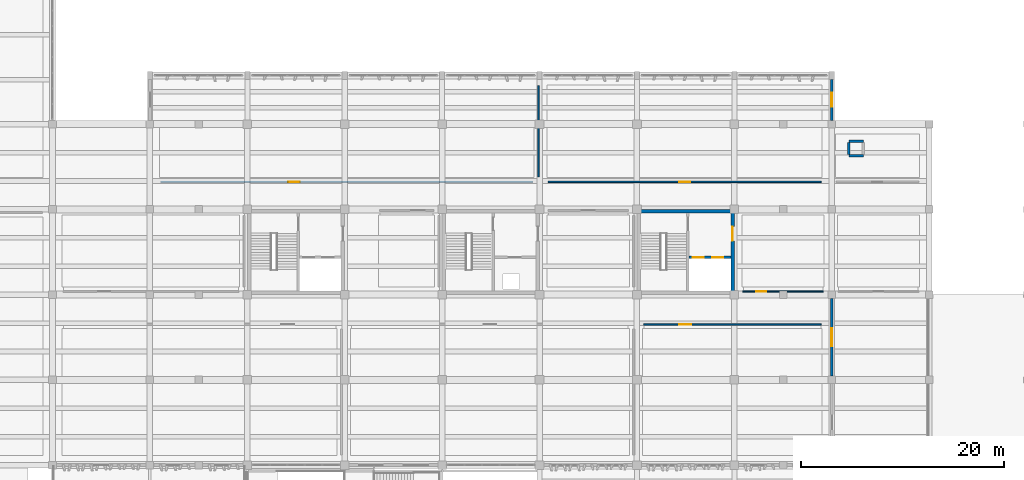
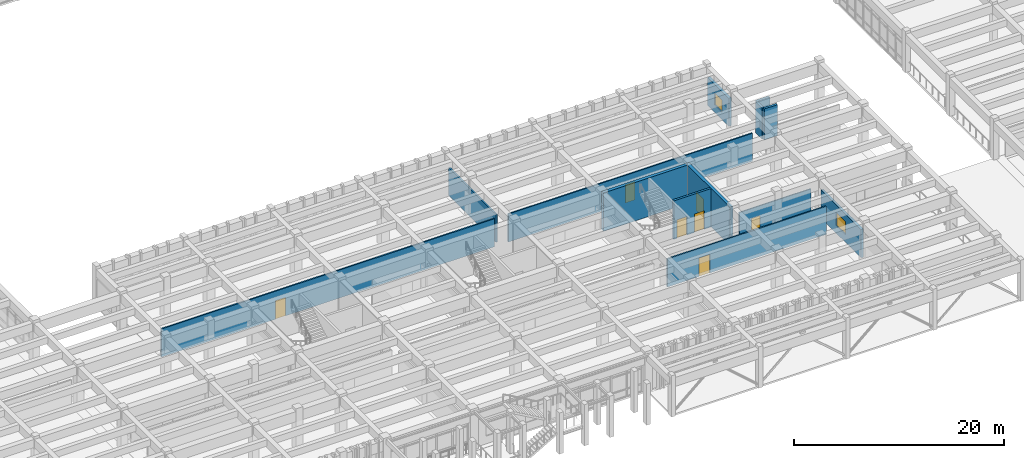
# One storey, part 67 of 86: 13 walls, 7 doors, 2 windows, 9 openings.
"""IFC4 building model written with IfcOpenShell, lengths in metres."""

from ifc_helpers import new_model, si_unit, direction, frame, frame_2d, origin, place, context, subcontext, project, spatial, rectangle, extrude, material, layer, layer_set, type_object, element, fill, save


model = new_model("IFC4")

# Units and contexts
model_context = context("Model", 3, precision=1e-05, world=origin(), true_north=direction((0.0, 1.0)))
body_context = subcontext(model_context, "Body", "Model", "MODEL_VIEW")
ifc_project = project(units=[si_unit("LENGTHUNIT", "METRE"), si_unit("AREAUNIT", "SQUARE_METRE"), si_unit("VOLUMEUNIT", "CUBIC_METRE"), si_unit("PLANEANGLEUNIT", "RADIAN"), si_unit("MASSUNIT", "GRAM", prefix="KILO")], contexts=[model_context])

# Site, building, storey
site_placement = place(None, origin())
site = spatial("IfcSite", under=ifc_project, at=site_placement, CompositionType="ELEMENT")
building_placement = place(site_placement, origin())
building = spatial("IfcBuilding", under=site, at=building_placement, Name="Kolvemor Railside Polytechnic", CompositionType="ELEMENT")
storey_placement = place(building_placement, frame((0.0, 0.0, 5.39990234375)))
storey = spatial("IfcBuildingStorey", under=building, at=storey_placement, Name="L01", CompositionType="ELEMENT", Elevation=5.39990234375)

# Wall
ifc_material_1 = material(Name="Concrete C40/50", Category="concrete")
ifc_layer_1 = layer(ifc_material_1, 0.35009765625, Name="WL-CORE-350")
ifc_layer_set_1 = layer_set([ifc_layer_1], Name="Concrete C40/50")
wall_type_1 = type_object("IfcWallType", Name="WL-CORE-350", PredefinedType="SHEAR", material=ifc_layer_set_1)
wall_1_placement = place(storey_placement, frame((105.60009765625, 29.824951171875, 0.0), z_axis=(0.0, 0.0, 1.0), x_axis=(1.0, 0.0, 0.0)))
element("IfcWall", 1, at=wall_1_placement, inside=storey, type_object=wall_type_1, Name="CORE-2 North Core Wall L01", PredefinedType="SHEAR", context=body_context, shape_type="SweptSolid", body=[
    extrude(rectangle(XDim=9.599853515625, YDim=0.35009765625, at=frame_2d((4.7998046875, 0.0))), origin(), (0.0, 0.0, 1.0), 4.47998046875),
])

# Wall, opening, door
wall_2_placement = place(storey_placement, frame((115.02490234375, 21.60009765625, 0.0), z_axis=(0.0, 0.0, 1.0), x_axis=(0.0, 1.0, 0.0)))
wall_2 = element("IfcWall", 2, at=wall_2_placement, inside=storey, type_object=wall_type_1, Name="CORE-2 East Core Wall L01", PredefinedType="SHEAR", context=body_context, shape_type="SweptSolid", body=[
    extrude(rectangle(XDim=8.39990234375, YDim=0.35009765625, at=frame_2d((4.199951171875, 0.0))), origin(), (0.0, 0.0, 1.0), 4.47998046875),
])
opening_1_placement = place(wall_2_placement, frame((5.300048828125, 0.0, 0.0)))
opening_1 = element("IfcOpeningElement", 3, at=opening_1_placement, cuts=wall_2, Name="Opening D-LOB-2-L01", PredefinedType="OPENING", context=body_context, shape_type="SweptSolid", body=[
    extrude(rectangle(XDim=1.39990234375, YDim=2.14990234375, at=frame_2d((0.699951171875, 1.074951171875))), frame((0.0, 0.18505859375, 0.0), z_axis=(0.0, -1.0, 0.0), x_axis=(1.0, 0.0, 0.0)), (0.0, 0.0, 1.0), 0.3701171875),
])
ifc_material_2 = material(Name="Fire-rated hardwood and brushed stainless-steel door", Category="steel")
door_type_1 = type_object("IfcDoorType", Name="DR-FD60-140x215", OperationType="NOTDEFINED", PredefinedType="DOOR", material=ifc_material_2)
door_1_placement = place(opening_1_placement, origin())
door_1 = element("IfcDoor", 4, at=door_1_placement, inside=storey, type_object=door_type_1, Name="Core Lobby Fire Door CORE-2 L01", OperationType="SINGLE_SWING_LEFT", OverallHeight=2.14990234375, OverallWidth=1.39990234375, PredefinedType="DOOR", context=body_context, shape_type="SweptSolid", body=[
    extrude(rectangle(XDim=1.39990234375, YDim=2.14990234375, at=frame_2d((0.699951171875, 1.074951171875))), frame((0.0, 0.02490234375, 0.0), z_axis=(0.0, -1.0, 0.0), x_axis=(1.0, 0.0, 0.0)), (0.0, 0.0, 1.0), 0.050048828125),
])
fill(opening_1, door_1)

# Wall, opening, window
ifc_material_3 = material(Name="Precast concrete C40/50", Category="concrete")
ifc_layer_2 = layer(ifc_material_3, 0.27001953125, Name="WL-EXT-RC-270")
ifc_layer_set_2 = layer_set([ifc_layer_2], Name="Precast concrete C40/50")
wall_type_2 = type_object("IfcWallType", Name="WL-EXT-RC-270", PredefinedType="SOLIDWALL", material=ifc_layer_set_2)
wall_3_placement = place(storey_placement, frame((124.800048828125, 38.780029296875, 0.0), z_axis=(0.0, 0.0, 1.0), x_axis=(0.0, 1.0, 0.0)))
wall_3 = element("IfcWall", 5, at=wall_3_placement, inside=storey, type_object=wall_type_2, Name="Exterior Wall L01-0026", PredefinedType="SOLIDWALL", context=body_context, shape_type="SweptSolid", body=[
    extrude(rectangle(XDim=4.0400390625, YDim=0.27001953125, at=frame_2d((2.02001953125, 0.0))), origin(), (0.0, 0.0, 1.0), 3.280029296875),
])
opening_2_placement = place(wall_3_placement, frame((1.320068359375, 0.0, 0.89990234375)))
opening_2 = element("IfcOpeningElement", 6, at=opening_2_placement, cuts=wall_3, Name="Opening WN-ADM1", PredefinedType="OPENING", context=body_context, shape_type="SweptSolid", body=[
    extrude(rectangle(XDim=1.39990234375, YDim=1.39990234375, at=frame_2d((0.699951171875, 0.699951171875))), frame((0.0, 0.14501953125, 0.0), z_axis=(0.0, -1.0, 0.0), x_axis=(1.0, 0.0, 0.0)), (0.0, 0.0, 1.0), 0.2900390625),
])
ifc_material_4 = material(Name="Hurricane-laminated thermally broken aluminium window", Category="aluminium")
window_type_1 = type_object("IfcWindowType", Name="WN-ADM-140x140", PartitioningType="SINGLE_PANEL", PredefinedType="WINDOW", material=ifc_material_4)
window_1_placement = place(opening_2_placement, origin())
window_1 = element("IfcWindow", 7, at=window_1_placement, inside=storey, type_object=window_type_1, Name="Window L01-0021", OverallHeight=1.39990234375, OverallWidth=1.39990234375, PartitioningType="SINGLE_PANEL", PredefinedType="WINDOW", context=body_context, shape_type="SweptSolid", body=[
    extrude(rectangle(XDim=1.39990234375, YDim=1.39990234375, at=frame_2d((0.699951171875, 0.699951171875))), frame((0.0, 0.030029296875, 0.0), z_axis=(0.0, -1.0, 0.0), x_axis=(1.0, 0.0, 0.0)), (0.0, 0.0, 1.0), 0.06005859375),
])
fill(opening_2, window_1)

wall_4_placement = place(storey_placement, frame((124.800048828125, 13.580078125, 0.0), z_axis=(0.0, 0.0, 1.0), x_axis=(0.0, 1.0, 0.0)))
wall_4 = element("IfcWall", 8, at=wall_4_placement, inside=storey, type_object=wall_type_2, Name="Exterior Wall L01-0162", PredefinedType="SOLIDWALL", context=body_context, shape_type="SweptSolid", body=[
    extrude(rectangle(XDim=7.639892578125, YDim=0.27001953125, at=frame_2d((3.81982421875, 0.0))), origin(), (0.0, 0.0, 1.0), 3.280029296875),
])
opening_3_placement = place(wall_4_placement, frame((2.919921875, 0.0, 0.89990234375)))
opening_3 = element("IfcOpeningElement", 9, at=opening_3_placement, cuts=wall_4, Name="Opening WN-LAB", PredefinedType="OPENING", context=body_context, shape_type="SweptSolid", body=[
    extrude(rectangle(XDim=1.800048828125, YDim=1.5, at=frame_2d((0.89990234375, 0.75))), frame((0.0, 0.14501953125, 0.0), z_axis=(0.0, -1.0, 0.0), x_axis=(1.0, 0.0, 0.0)), (0.0, 0.0, 1.0), 0.2900390625),
])
ifc_material_5 = material(Name="Hurricane-laminated thermally broken aluminium window", Category="aluminium")
window_type_2 = type_object("IfcWindowType", Name="WN-LAB-180x150", PartitioningType="DOUBLE_PANEL_VERTICAL", PredefinedType="WINDOW", material=ifc_material_5)
window_2_placement = place(opening_3_placement, origin())
window_2 = element("IfcWindow", 10, at=window_2_placement, inside=storey, type_object=window_type_2, Name="Window L01-0173", OverallHeight=1.5, OverallWidth=1.800048828125, PartitioningType="SINGLE_PANEL", PredefinedType="WINDOW", context=body_context, shape_type="SweptSolid", body=[
    extrude(rectangle(XDim=1.800048828125, YDim=1.5, at=frame_2d((0.89990234375, 0.75))), frame((0.0, 0.030029296875, 0.0), z_axis=(0.0, -1.0, 0.0), x_axis=(1.0, 0.0, 0.0)), (0.0, 0.0, 1.0), 0.06005859375),
])
fill(opening_3, window_2)

# Wall, opening, door
ifc_material_6 = material(Name="Wet-area tile-backer partition")
ifc_layer_3 = layer(ifc_material_6, 0.1201171875, Name="WL-PART-120")
ifc_layer_set_3 = layer_set([ifc_layer_3], Name="Wet-area tile-backer partition")
wall_type_3 = type_object("IfcWallType", Name="WL-PART-120", PredefinedType="PARTITIONING", material=ifc_layer_set_3)
wall_5_placement = place(storey_placement, frame((116.050048828125, 21.919921875, 0.0), z_axis=(0.0, 0.0, 1.0), x_axis=(1.0, 0.0, 0.0)))
wall_5 = element("IfcWall", 11, at=wall_5_placement, inside=storey, type_object=wall_type_3, Name="Partition Wall L01-0113", PredefinedType="PARTITIONING", context=body_context, shape_type="SweptSolid", body=[
    extrude(rectangle(XDim=7.89990234375, YDim=0.1201171875, at=frame_2d((3.949951171875, 0.0))), origin(), (0.0, 0.0, 1.0), 3.260009765625),
])
opening_4_placement = place(wall_5_placement, frame((1.322021484375, 0.0, 0.0)))
opening_4 = element("IfcOpeningElement", 12, at=opening_4_placement, cuts=wall_5, Name="Opening D-01064", PredefinedType="OPENING", context=body_context, shape_type="SweptSolid", body=[
    extrude(rectangle(XDim=0.949951171875, YDim=2.10009765625, at=frame_2d((0.47509765625, 1.050048828125))), frame((0.0, 0.070068359375, 0.0), z_axis=(0.0, -1.0, 0.0), x_axis=(1.0, 0.0, 0.0)), (0.0, 0.0, 1.0), 0.14013671875),
])
ifc_material_7 = material(Name="Solid hardwood acoustic door", Category="wood")
door_type_2 = type_object("IfcDoorType", Name="DR-WC-095x210", OperationType="NOTDEFINED", PredefinedType="DOOR", material=ifc_material_7)
door_2_placement = place(opening_4_placement, origin())
door_2 = element("IfcDoor", 13, at=door_2_placement, inside=storey, type_object=door_type_2, Name="Room Door D-01064 (Main Stack Public WC L01)", OperationType="SINGLE_SWING_LEFT", OverallHeight=2.10009765625, OverallWidth=0.949951171875, PredefinedType="DOOR", context=body_context, shape_type="SweptSolid", body=[
    extrude(rectangle(XDim=0.949951171875, YDim=2.10009765625, at=frame_2d((0.47509765625, 1.050048828125))), frame((0.0, 0.02490234375, 0.0), z_axis=(0.0, -1.0, 0.0), x_axis=(1.0, 0.0, 0.0)), (0.0, 0.0, 1.0), 0.050048828125),
])
fill(opening_4, door_2)

ifc_material_8 = material(Name="Seminar acoustic partition")
ifc_layer_4 = layer(ifc_material_8, 0.139892578125, Name="WL-PART-140")
ifc_layer_set_4 = layer_set([ifc_layer_4], Name="Seminar acoustic partition")
wall_type_4 = type_object("IfcWallType", Name="WL-PART-140", PredefinedType="PARTITIONING", material=ifc_layer_set_4)
wall_6_placement = place(storey_placement, frame((96.85009765625, 32.719970703125, 0.0), z_axis=(0.0, 0.0, 1.0), x_axis=(1.0, 0.0, 0.0)))
wall_6 = element("IfcWall", 14, at=wall_6_placement, inside=storey, type_object=wall_type_4, Name="Partition Wall L01-0117", PredefinedType="PARTITIONING", context=body_context, shape_type="SweptSolid", body=[
    extrude(rectangle(XDim=26.89990234375, YDim=0.139892578125, at=frame_2d((13.449951171875, 0.0))), origin(), (0.0, 0.0, 1.0), 3.260009765625),
])
opening_5_placement = place(wall_6_placement, frame((12.909912109375, 0.0, 0.0)))
opening_5 = element("IfcOpeningElement", 15, at=opening_5_placement, cuts=wall_6, Name="Opening D-01067", PredefinedType="OPENING", context=body_context, shape_type="SweptSolid", body=[
    extrude(rectangle(XDim=1.080078125, YDim=2.14990234375, at=frame_2d((0.5400390625, 1.074951171875))), frame((0.0, 0.079833984375, 0.0), z_axis=(0.0, -1.0, 0.0), x_axis=(1.0, 0.0, 0.0)), (0.0, 0.0, 1.0), 0.159912109375),
])
ifc_material_9 = material(Name="Solid hardwood acoustic door", Category="wood")
door_type_3 = type_object("IfcDoorType", Name="DR-SEM-108x215", OperationType="NOTDEFINED", PredefinedType="DOOR", material=ifc_material_9)
door_3_placement = place(opening_5_placement, origin())
door_3 = element("IfcDoor", 16, at=door_3_placement, inside=storey, type_object=door_type_3, Name="Room Door D-01067 (Seminar Room 104)", OperationType="SINGLE_SWING_RIGHT", OverallHeight=2.14990234375, OverallWidth=1.080078125, PredefinedType="DOOR", context=body_context, shape_type="SweptSolid", body=[
    extrude(rectangle(XDim=1.080078125, YDim=2.14990234375, at=frame_2d((0.5400390625, 1.074951171875))), frame((0.0, 0.02490234375, 0.0), z_axis=(0.0, -1.0, 0.0), x_axis=(1.0, 0.0, 0.0)), (0.0, 0.0, 1.0), 0.050048828125),
])
fill(opening_5, door_3)

ifc_material_10 = material(Name="Acoustic studio partition")
ifc_layer_5 = layer(ifc_material_10, 0.14990234375, Name="WL-PART-150")
ifc_layer_set_5 = layer_set([ifc_layer_5], Name="Acoustic studio partition")
wall_type_5 = type_object("IfcWallType", Name="WL-PART-150", PredefinedType="PARTITIONING", material=ifc_layer_set_5)
wall_7_placement = place(storey_placement, frame((106.25, 18.679931640625, 0.0), z_axis=(0.0, 0.0, 1.0), x_axis=(1.0, 0.0, 0.0)))
wall_7 = element("IfcWall", 17, at=wall_7_placement, inside=storey, type_object=wall_type_5, Name="Partition Wall L01-0106", PredefinedType="PARTITIONING", context=body_context, shape_type="SweptSolid", body=[
    extrude(rectangle(XDim=17.5, YDim=0.14990234375, at=frame_2d((8.75, 0.0))), origin(), (0.0, 0.0, 1.0), 3.260009765625),
])
opening_6_placement = place(wall_7_placement, frame((3.50390625, 0.0, 0.0)))
opening_6 = element("IfcOpeningElement", 18, at=opening_6_placement, cuts=wall_7, Name="Opening D-01060", PredefinedType="OPENING", context=body_context, shape_type="SweptSolid", body=[
    extrude(rectangle(XDim=1.179931640625, YDim=2.14990234375, at=frame_2d((0.58984375, 1.074951171875))), frame((0.0, 0.0849609375, 0.0), z_axis=(0.0, -1.0, 0.0), x_axis=(1.0, 0.0, 0.0)), (0.0, 0.0, 1.0), 0.169921875),
])
ifc_material_11 = material(Name="Solid hardwood acoustic door", Category="wood")
door_type_4 = type_object("IfcDoorType", Name="DR-STU-118x215", OperationType="NOTDEFINED", PredefinedType="DOOR", material=ifc_material_11)
door_4_placement = place(opening_6_placement, origin())
door_4 = element("IfcDoor", 19, at=door_4_placement, inside=storey, type_object=door_type_4, Name="Room Door D-01060 (Foundation Engineering Design Studio)", OperationType="SINGLE_SWING_LEFT", OverallHeight=2.14990234375, OverallWidth=1.179931640625, PredefinedType="DOOR", context=body_context, shape_type="SweptSolid", body=[
    extrude(rectangle(XDim=1.179931640625, YDim=2.14990234375, at=frame_2d((0.58984375, 1.074951171875))), frame((0.0, 0.02490234375, 0.0), z_axis=(0.0, -1.0, 0.0), x_axis=(1.0, 0.0, 0.0)), (0.0, 0.0, 1.0), 0.050048828125),
])
fill(opening_6, door_4)

wall_8_placement = place(storey_placement, frame((58.64990234375, 32.719970703125, 0.0), z_axis=(0.0, 0.0, 1.0), x_axis=(1.0, 0.0, 0.0)))
wall_8 = element("IfcWall", 20, at=wall_8_placement, inside=storey, type_object=wall_type_5, Name="Partition Wall L01-0115", PredefinedType="PARTITIONING", context=body_context, shape_type="SweptSolid", body=[
    extrude(rectangle(XDim=36.7001953125, YDim=0.14990234375, at=frame_2d((18.35009765625, 0.0))), origin(), (0.0, 0.0, 1.0), 3.260009765625),
])
opening_7_placement = place(wall_8_placement, frame((12.572998046875, 0.0, 0.0)))
opening_7 = element("IfcOpeningElement", 21, at=opening_7_placement, cuts=wall_8, Name="Opening D-01066", PredefinedType="OPENING", context=body_context, shape_type="SweptSolid", body=[
    extrude(rectangle(XDim=1.1201171875, YDim=2.14990234375, at=frame_2d((0.56005859375, 1.074951171875))), frame((0.0, 0.0849609375, 0.0), z_axis=(0.0, -1.0, 0.0), x_axis=(1.0, 0.0, 0.0)), (0.0, 0.0, 1.0), 0.169921875),
])
ifc_material_12 = material(Name="Solid hardwood acoustic door", Category="wood")
door_type_5 = type_object("IfcDoorType", Name="DR-STU-112x215", OperationType="NOTDEFINED", PredefinedType="DOOR", material=ifc_material_12)
door_5_placement = place(opening_7_placement, origin())
door_5 = element("IfcDoor", 22, at=door_5_placement, inside=storey, type_object=door_type_5, Name="Room Door D-01066 (Courtyard Overlook Design Studio)", OperationType="SINGLE_SWING_LEFT", OverallHeight=2.14990234375, OverallWidth=1.1201171875, PredefinedType="DOOR", context=body_context, shape_type="SweptSolid", body=[
    extrude(rectangle(XDim=1.1201171875, YDim=2.14990234375, at=frame_2d((0.56005859375, 1.074951171875))), frame((0.0, 0.02490234375, 0.0), z_axis=(0.0, -1.0, 0.0), x_axis=(1.0, 0.0, 0.0)), (0.0, 0.0, 1.0), 0.050048828125),
])
fill(opening_7, door_5)

# Wall
wall_9_placement = place(storey_placement, frame((95.8798828125, 33.199951171875, 0.0), z_axis=(0.0, 0.0, 1.0), x_axis=(0.0, 1.0, 0.0)))
element("IfcWall", 23, at=wall_9_placement, inside=storey, type_object=wall_type_5, Name="Demising Partition L01-0116", PredefinedType="PARTITIONING", context=body_context, shape_type="SweptSolid", body=[
    extrude(rectangle(XDim=9.0, YDim=0.14990234375, at=frame_2d((4.5, 0.0))), origin(), (0.0, 0.0, 1.0), 3.260009765625),
])

# Wall, openings, doors
ifc_material_13 = material(Name="Concrete C40/50", Category="concrete")
ifc_layer_6 = layer(ifc_material_13, 0.25, Name="WL-SHFT-250")
ifc_layer_set_6 = layer_set([ifc_layer_6], Name="Concrete C40/50")
wall_type_6 = type_object("IfcWallType", Name="WL-SHFT-250", PredefinedType="SHEAR", material=ifc_layer_set_6)
wall_10_placement = place(storey_placement, frame((110.75, 25.27490234375, 0.0), z_axis=(0.0, 0.0, 1.0), x_axis=(1.0, 0.0, 0.0)))
wall_10 = element("IfcWall", 24, at=wall_10_placement, inside=storey, type_object=wall_type_6, Name="CORE-2 Lift Shaft Front Wall L01", PredefinedType="SHEAR", context=body_context, shape_type="SweptSolid", body=[
    extrude(rectangle(XDim=4.10009765625, YDim=0.25, at=frame_2d((2.050048828125, 0.0))), origin(), (0.0, 0.0, 1.0), 4.47998046875),
])
opening_8_placement = place(wall_10_placement, frame((0.35009765625, 0.0, 0.0)))
opening_8 = element("IfcOpeningElement", 25, at=opening_8_placement, cuts=wall_10, Name="Opening LD-FL-2-L01", PredefinedType="OPENING", context=body_context, shape_type="SweptSolid", body=[
    extrude(rectangle(XDim=1.10009765625, YDim=2.14990234375, at=frame_2d((0.550048828125, 1.074951171875))), frame((0.0, 0.135009765625, 0.0), z_axis=(0.0, -1.0, 0.0), x_axis=(1.0, 0.0, 0.0)), (0.0, 0.0, 1.0), 0.27001953125),
])
opening_9_placement = place(wall_10_placement, frame((2.25, 0.0, 0.0)))
opening_9 = element("IfcOpeningElement", 26, at=opening_9_placement, cuts=wall_10, Name="Opening LD-PL-2-L01", PredefinedType="OPENING", context=body_context, shape_type="SweptSolid", body=[
    extrude(rectangle(XDim=1.10009765625, YDim=2.14990234375, at=frame_2d((0.550048828125, 1.074951171875))), frame((0.0, 0.135009765625, 0.0), z_axis=(0.0, -1.0, 0.0), x_axis=(1.0, 0.0, 0.0)), (0.0, 0.0, 1.0), 0.27001953125),
])
ifc_material_14 = material(Name="Fire-rated hardwood and brushed stainless-steel door", Category="steel")
door_type_6 = type_object("IfcDoorType", Name="DR-LIFT-110x215", OperationType="SLIDING_TO_LEFT", PredefinedType="DOOR", material=ifc_material_14)
door_6_placement = place(opening_8_placement, origin())
door_6 = element("IfcDoor", 27, at=door_6_placement, inside=storey, type_object=door_type_6, Name="Lift Landing Sliding Door FL-2 L01", OperationType="SLIDING_TO_LEFT", OverallHeight=2.14990234375, OverallWidth=1.10009765625, PredefinedType="DOOR", context=body_context, shape_type="SweptSolid", body=[
    extrude(rectangle(XDim=1.10009765625, YDim=2.14990234375, at=frame_2d((0.550048828125, 1.074951171875))), frame((0.0, 0.02490234375, 0.0), z_axis=(0.0, -1.0, 0.0), x_axis=(1.0, 0.0, 0.0)), (0.0, 0.0, 1.0), 0.050048828125),
])
fill(opening_8, door_6)
door_7_placement = place(opening_9_placement, origin())
door_7 = element("IfcDoor", 28, at=door_7_placement, inside=storey, type_object=door_type_6, Name="Lift Landing Sliding Door PL-2 L01", OperationType="SLIDING_TO_LEFT", OverallHeight=2.14990234375, OverallWidth=1.10009765625, PredefinedType="DOOR", context=body_context, shape_type="SweptSolid", body=[
    extrude(rectangle(XDim=1.10009765625, YDim=2.14990234375, at=frame_2d((0.550048828125, 1.074951171875))), frame((0.0, 0.02490234375, 0.0), z_axis=(0.0, -1.0, 0.0), x_axis=(1.0, 0.0, 0.0)), (0.0, 0.0, 1.0), 0.050048828125),
])
fill(opening_9, door_7)

# Walls
ifc_material_15 = material(Name="Concrete C40/50", Category="concrete")
ifc_layer_7 = layer(ifc_material_15, 0.25, Name="WL-TIER-RC")
ifc_layer_set_7 = layer_set([ifc_layer_7], Name="Concrete C40/50")
wall_type_7 = type_object("IfcWallType", Name="WL-TIER-RC", PredefinedType="SHEAR", material=ifc_layer_set_7)
for number, where, z_axis, x_axis, name in (
    (29, (126.47998046875, 35.280029296875, 0.0), (0.0, 0.0, 1.0), (1.0, 0.0, 0.0), "MEP Riser Enclosure Wall L01-53S"),
    (30, (126.47998046875, 36.719970703125, 0.0), (0.0, 0.0, 1.0), (1.0, 0.0, 0.0), "MEP Riser Enclosure Wall L01-53N"),
):
    element("IfcWall", number, at=place(storey_placement, frame(where, z_axis=z_axis, x_axis=x_axis)), inside=storey, type_object=wall_type_7, Name=name, PredefinedType="SHEAR", context=body_context, shape_type="SweptSolid", body=[
        extrude(rectangle(XDim=1.43994140625, YDim=0.25, at=frame_2d((0.719970703125, 0.0))), origin(), (0.0, 0.0, 1.0), 3.60009765625),
    ])
wall_11_placement = place(storey_placement, frame((126.47998046875, 35.39990234375, 0.0), z_axis=(0.0, 0.0, 1.0), x_axis=(0.0, 1.0, 0.0)))
element("IfcWall", 31, at=wall_11_placement, inside=storey, type_object=wall_type_7, Name="MEP Riser Enclosure Wall L01-53W", PredefinedType="SHEAR", context=body_context, shape_type="SweptSolid", body=[
    extrude(rectangle(XDim=1.2001953125, YDim=0.25, at=frame_2d((0.60009765625, 0.0))), origin(), (0.0, 0.0, 1.0), 3.60009765625),
])

save(model, "model.ifc")
